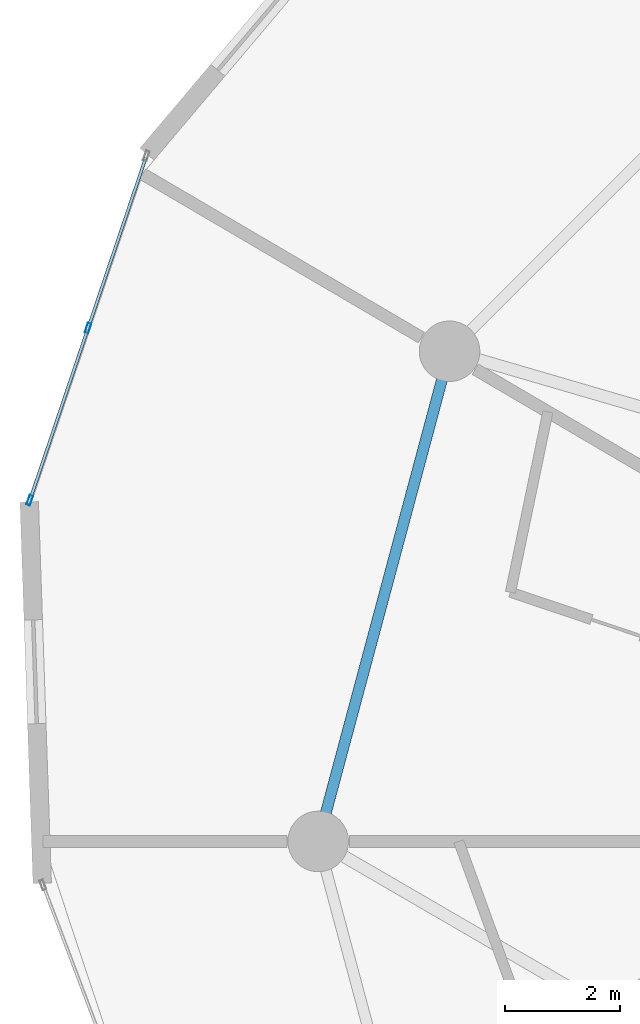
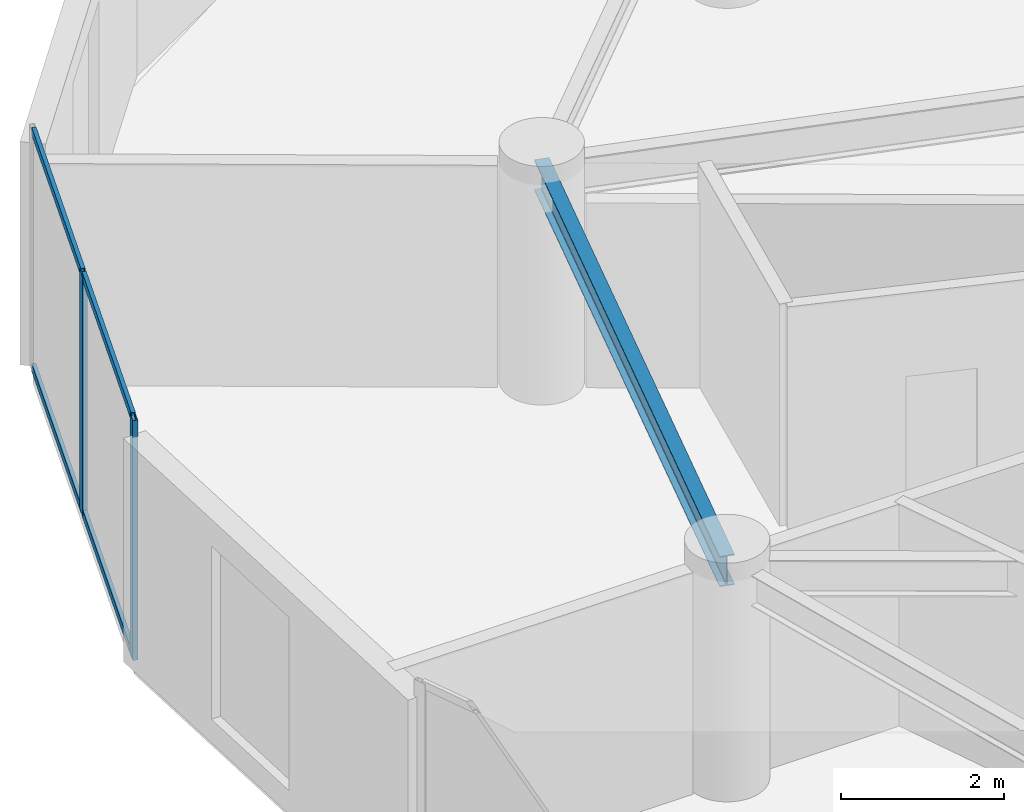
# One storey, part 8 of 23: 6 members, 1 beam, 1 element without a shape of its own.
"""IFC4 building model written with IfcOpenShell, lengths in metres."""

from ifc_helpers import new_model, si_unit, direction, frame, origin, origin_2d, place, context, subcontext, project, spatial, hollow_rectangle, i_section, extrude, source, transform, mapped, material, layer, layer_set, material_profile, profile_set, type_object, element, aggregate, save


model = new_model("IFC4")

# Units and contexts
model_context = context("Model", 3, precision=1e-05, world=origin(), true_north=direction((0.0, 1.0)))
body_context = subcontext(model_context, "Body", "Model", "MODEL_VIEW")
ifc_project = project(units=[si_unit("LENGTHUNIT", "METRE"), si_unit("AREAUNIT", "SQUARE_METRE"), si_unit("VOLUMEUNIT", "CUBIC_METRE"), si_unit("PLANEANGLEUNIT", "RADIAN"), si_unit("MASSUNIT", "GRAM", prefix="KILO")], contexts=[model_context])

# Site, building, storey
site_placement = place(None, origin())
site = spatial("IfcSite", under=ifc_project, at=site_placement, CompositionType="ELEMENT")
building_placement = place(site_placement, origin())
building = spatial("IfcBuilding", under=site, at=building_placement, Name="Solvirekh Grand Hotel", CompositionType="ELEMENT")
storey_placement = place(building_placement, frame((0.0, 0.0, 109.800048828125)))
storey = spatial("IfcBuildingStorey", under=building, at=storey_placement, Name="L27", CompositionType="ELEMENT", Elevation=109.800048828125)

# Beam
ifc_material_1 = material(Name="Steel S355", Category="steel")
ifc_material_profile_1 = material_profile(ifc_material_1, i_section(OverallWidth=0.18994140625, OverallDepth=0.45703125, WebThickness=0.009033203125, FlangeThickness=0.013916015625, FilletRadius=0.012939453125, at=origin_2d()), Name="W460X74")
ifc_profile_set_1 = profile_set([ifc_material_profile_1], Name="Steel S355")
beam_type = type_object("IfcBeamType", Name="Spandrel_Ring_W460", PredefinedType="SPANDREL", material=ifc_profile_set_1)
beam_placement = place(storey_placement, frame((-14.721923828125, 8.5, 3.1220703125), z_axis=(-0.258872908946, -0.965911391906, 0.0), x_axis=(0.965911391906, -0.258872908946, 0.0)))
element("IfcBeam", 1, at=beam_placement, inside=storey, type_object=beam_type, Name="L27 perimeter spandrel beam 6", PredefinedType="SPANDREL", context=body_context, shape_type="SweptSolid", body=[
    extrude(i_section(OverallWidth=0.18994140625, OverallDepth=0.45703125, WebThickness=0.009033203125, FlangeThickness=0.013916015625, FilletRadius=0.012939453125, at=origin_2d()), origin(), (0.0, 0.0, 1.0), 8.800048828125),
])

# Curtain wall, members
ifc_material_2 = material(Name="Anodized Bronze Aluminium 6063-T6", Category="aluminium")
ifc_layer = layer(ifc_material_2, 0.175048828125)
ifc_layer_set = layer_set([ifc_layer], Name="Anodized Bronze Aluminium 6063-T6")
curtain_wall_type = type_object("IfcCurtainWallType", Name="CW_Sys3_MidZoneFlushBronzeCW", PredefinedType="NOTDEFINED", material=ifc_layer_set)
curtain_wall_placement = place(storey_placement, origin())
curtain_wall = element("IfcCurtainWall", 2, at=curtain_wall_placement, inside=storey, type_object=curtain_wall_type, Name="L27 unitised bronze-glass curtain wall CW-L27-C11", PredefinedType="NOTDEFINED")
ifc_material_profile_2 = material_profile(ifc_material_2, hollow_rectangle(XDim=0.06494140625, YDim=0.175048828125, WallThickness=0.0048828125, at=origin_2d()), Name="ALU RHS 175X65X5")
ifc_profile_set_2 = profile_set([ifc_material_profile_2], Name="Anodized Bronze Aluminium 6063-T6")
member_type_1 = type_object("IfcMemberType", Name="CWMullion_Sys3", PredefinedType="MULLION", material=ifc_profile_set_2)
shared_shape_1 = source(origin(), body_context, "Body", "SweptSolid", [
    extrude(hollow_rectangle(XDim=0.06494140625, YDim=0.175048828125, WallThickness=0.0048828125, at=origin_2d()), origin(), (0.0, 0.0, 1.0), 3.599853515625),
])
member_1_placement = place(storey_placement, frame((-20.989990234375, 8.902587890625, 0.0), z_axis=(0.0, 0.0, 1.0), x_axis=(0.947213035477, -0.320604843106, 0.0)))
member_1 = element("IfcMember", 3, at=member_1_placement, type_object=member_type_1, Name="U03 mullion 2", PredefinedType="MULLION", context=body_context, shape_type="MappedRepresentation", body=[
    mapped(shared_shape_1, transform((0.0, 0.0, 0.0), x_axis=(1.0, 0.0, 0.0), y_axis=(0.0, 1.0, 0.0), z_axis=(0.0, 0.0, 1.0), scale=1.0)),
])
member_2_placement = place(storey_placement, frame((-22.00048828125, 5.916748046875, 0.0), z_axis=(0.0, 0.0, 1.0), x_axis=(0.947213035477, -0.320604843106, 0.0)))
member_2 = element("IfcMember", 4, at=member_2_placement, type_object=member_type_1, Name="U03 mullion 3", PredefinedType="MULLION", context=body_context, shape_type="MappedRepresentation", body=[
    mapped(shared_shape_1, transform((0.0, 0.0, 0.0), x_axis=(1.0, 0.0, 0.0), y_axis=(0.0, 1.0, 0.0), z_axis=(0.0, 0.0, 1.0), scale=1.0)),
])
ifc_material_profile_3 = material_profile(ifc_material_2, hollow_rectangle(XDim=0.054931640625, YDim=0.1201171875, WallThickness=0.00390625, at=origin_2d()), Name="ALU RHS 120X55X4")
ifc_profile_set_3 = profile_set([ifc_material_profile_3], Name="Anodized Bronze Aluminium 6063-T6")
member_type_2 = type_object("IfcMemberType", Name="CWTransom_Sys3", PredefinedType="USERDEFINED", material=ifc_profile_set_3)
shared_shape_2 = source(origin(), body_context, "Body", "SweptSolid", [
    extrude(hollow_rectangle(XDim=0.054931640625, YDim=0.1201171875, WallThickness=0.00390625, at=origin_2d()), origin(), (0.0, 0.0, 1.0), 3.087158203125),
])
member_3_placement = place(storey_placement, frame((-19.98974609375, 11.857421875, 0.02734375), z_axis=(-0.320613640642, -0.947210057714, 0.0), x_axis=(0.947210057714, -0.320613640642, 0.0)))
member_3 = element("IfcMember", 5, at=member_3_placement, type_object=member_type_2, Name="U03 transom 1.1", ObjectType="TRANSOM", PredefinedType="USERDEFINED", context=body_context, shape_type="MappedRepresentation", body=[
    mapped(shared_shape_2, transform((0.0, 0.0, 0.0), x_axis=(1.0, 0.0, 0.0), y_axis=(0.0, 1.0, 0.0), z_axis=(0.0, 0.0, 1.0), scale=1.0)),
])
member_4_placement = place(storey_placement, frame((-19.98974609375, 11.857421875, 3.572509765625), z_axis=(-0.320613640642, -0.947210057714, 0.0), x_axis=(0.947210057714, -0.320613640642, 0.0)))
member_4 = element("IfcMember", 6, at=member_4_placement, type_object=member_type_2, Name="U03 transom 1.2", ObjectType="TRANSOM", PredefinedType="USERDEFINED", context=body_context, shape_type="MappedRepresentation", body=[
    mapped(shared_shape_2, transform((0.0, 0.0, 0.0), x_axis=(1.0, 0.0, 0.0), y_axis=(0.0, 1.0, 0.0), z_axis=(0.0, 0.0, 1.0), scale=1.0)),
])
member_5_placement = place(storey_placement, frame((-21.00048828125, 8.871826171875, 0.02734375), z_axis=(-0.320589624907, -0.947218186271, 0.0), x_axis=(0.947218186271, -0.320589624907, 0.0)))
member_5 = element("IfcMember", 7, at=member_5_placement, type_object=member_type_2, Name="U03 transom 2.1", ObjectType="TRANSOM", PredefinedType="USERDEFINED", context=body_context, shape_type="MappedRepresentation", body=[
    mapped(shared_shape_2, transform((0.0, 0.0, 0.0), x_axis=(1.0, 0.0, 0.0), y_axis=(0.0, 1.0, 0.0), z_axis=(0.0, 0.0, 1.0), scale=1.0)),
])
member_6_placement = place(storey_placement, frame((-21.00048828125, 8.871826171875, 3.572509765625), z_axis=(-0.320589624907, -0.947218186271, 0.0), x_axis=(0.947218186271, -0.320589624907, 0.0)))
member_6 = element("IfcMember", 8, at=member_6_placement, type_object=member_type_2, Name="U03 transom 2.2", ObjectType="TRANSOM", PredefinedType="USERDEFINED", context=body_context, shape_type="MappedRepresentation", body=[
    mapped(shared_shape_2, transform((0.0, 0.0, 0.0), x_axis=(1.0, 0.0, 0.0), y_axis=(0.0, 1.0, 0.0), z_axis=(0.0, 0.0, 1.0), scale=1.0)),
])
aggregate(curtain_wall, [member_1, member_2, member_3, member_4, member_5, member_6])

save(model, "model.ifc")
